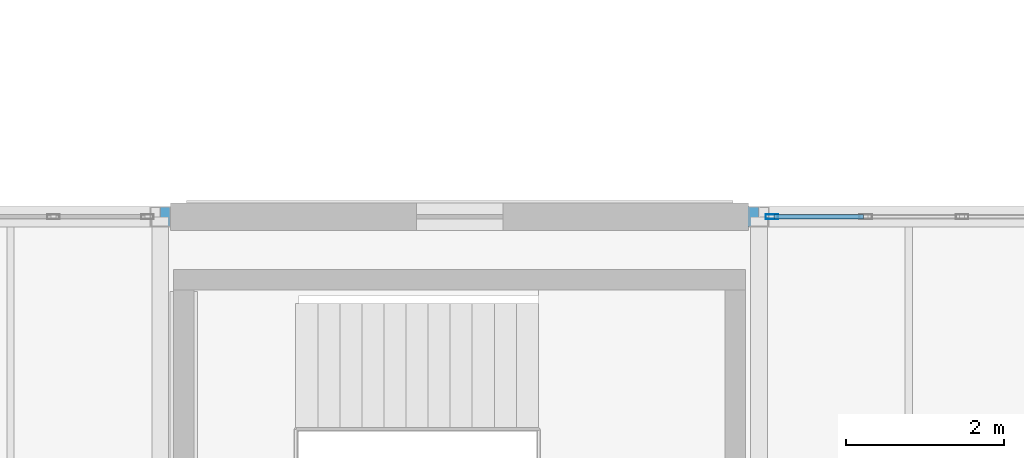
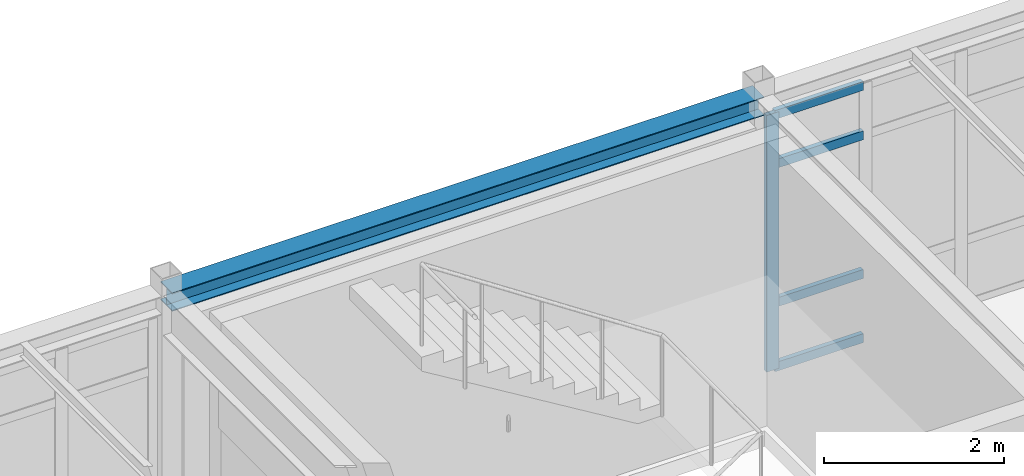
# One storey, part 80 of 189: 5 members, 1 beam, 1 element without a shape of its own.
"""IFC4 building model written with IfcOpenShell, lengths in metres."""

from ifc_helpers import new_model, si_unit, direction, frame, origin, origin_2d, place, context, subcontext, project, spatial, hollow_rectangle, i_section, extrude, material, layer, layer_set, material_profile, profile_set, type_object, element, aggregate, save


model = new_model("IFC4")

# Units and contexts
model_context = context("Model", 3, precision=1e-05, world=origin(), true_north=direction((0.0, 1.0)))
body_context = subcontext(model_context, "Body", "Model", "MODEL_VIEW")
ifc_project = project(units=[si_unit("LENGTHUNIT", "METRE"), si_unit("AREAUNIT", "SQUARE_METRE"), si_unit("VOLUMEUNIT", "CUBIC_METRE"), si_unit("PLANEANGLEUNIT", "RADIAN"), si_unit("MASSUNIT", "GRAM", prefix="KILO")], contexts=[model_context])

# Site, building, storey
site_placement = place(None, origin())
site = spatial("IfcSite", under=ifc_project, at=site_placement, CompositionType="ELEMENT")
building_placement = place(site_placement, origin())
building = spatial("IfcBuilding", under=site, at=building_placement, Name="Montecoro Central Library", CompositionType="ELEMENT")
storey_placement = place(building_placement, frame((0.0, 0.0, 9.179931640625)))
storey = spatial("IfcBuildingStorey", under=building, at=storey_placement, Name="L02", CompositionType="ELEMENT", Elevation=9.179931640625)

# Beam
ifc_material_1 = material(Name="Steel S355", Category="steel")
ifc_material_profile_1 = material_profile(ifc_material_1, i_section(OverallWidth=0.260009765625, OverallDepth=0.25, WebThickness=0.007568359375, FlangeThickness=0.012451171875, at=origin_2d()), Name="HEA 260")
ifc_profile_set_1 = profile_set([ifc_material_profile_1], Name="Steel S355")
beam_type = type_object("IfcBeamType", Name="BM-SP-HEA260", PredefinedType="SPANDREL", material=ifc_profile_set_1)
beam_placement = place(storey_placement, frame((27.804931640625, 111.39990234375, 3.699951171875), z_axis=(1.0, 0.0, 0.0), x_axis=(0.0, 1.0, 0.0)))
element("IfcBeam", 1, at=beam_placement, inside=storey, type_object=beam_type, Name="V4-L02-BX-45-Q", PredefinedType="SPANDREL", context=body_context, shape_type="SweptSolid", body=[
    extrude(i_section(OverallWidth=0.260009765625, OverallDepth=0.25, WebThickness=0.007568359375, FlangeThickness=0.012451171875, at=origin_2d()), origin(), (0.0, 0.0, 1.0), 7.590087890625),
])

# Curtain wall, members
ifc_material_2 = material(Name="Bronze-anodised aluminium and low-E glazing", Category="aluminium")
ifc_layer = layer(ifc_material_2, 0.159912109375)
ifc_layer_set = layer_set([ifc_layer], Name="Bronze-anodised aluminium and low-E glazing")
curtain_wall_type = type_object("IfcCurtainWallType", Name="CWT-048", PredefinedType="NOTDEFINED", material=ifc_layer_set)
curtain_wall_placement = place(storey_placement, origin())
curtain_wall = element("IfcCurtainWall", 2, at=curtain_wall_placement, inside=storey, type_object=curtain_wall_type, Name="V4-L02-CW-N4", PredefinedType="NOTDEFINED")
ifc_material_3 = material(Name="Bronze-anodised aluminium", Category="aluminium")
ifc_material_profile_2 = material_profile(ifc_material_3, hollow_rectangle(XDim=0.06005859375, YDim=0.159912109375, WallThickness=0.00390625, at=origin_2d()), Name="CWM 160x60x4.0")
ifc_profile_set_2 = profile_set([ifc_material_profile_2], Name="Bronze-anodised aluminium")
member_type_1 = type_object("IfcMemberType", Name="CWM-BRZ-60", PredefinedType="MULLION", material=ifc_profile_set_2)
member_1_placement = place(storey_placement, frame((35.56298828125, 111.39990234375, 0.0), z_axis=(0.0, 0.0, 1.0), x_axis=(0.0, -1.0, 0.0)))
member_1 = element("IfcMember", 3, at=member_1_placement, type_object=member_type_1, Name="CW-048 mullion 7", PredefinedType="MULLION", context=body_context, shape_type="SweptSolid", body=[
    extrude(hollow_rectangle(XDim=0.06005859375, YDim=0.159912109375, WallThickness=0.00390625, at=origin_2d()), origin(), (0.0, 0.0, 1.0), 3.47998046875),
])
ifc_material_profile_3 = material_profile(ifc_material_3, hollow_rectangle(XDim=0.06005859375, YDim=0.1201171875, WallThickness=0.00390625, at=origin_2d()), Name="CWT 120x60x4.0")
ifc_profile_set_3 = profile_set([ifc_material_profile_3], Name="Bronze-anodised aluminium")
member_type_2 = type_object("IfcMemberType", Name="CWT-BRZ-60", PredefinedType="USERDEFINED", material=ifc_profile_set_3)
member_2_placement = place(storey_placement, frame((36.725341796875, 111.39990234375, 0.030029296875), z_axis=(-1.0, 0.0, 0.0), x_axis=(0.0, -1.0, 0.0)))
member_2 = element("IfcMember", 4, at=member_2_placement, type_object=member_type_2, Name="CW-048 transom 6.1", ObjectType="TRANSOM", PredefinedType="USERDEFINED", context=body_context, shape_type="SweptSolid", body=[
    extrude(hollow_rectangle(XDim=0.06005859375, YDim=0.1201171875, WallThickness=0.00390625, at=origin_2d()), origin(), (0.0, 0.0, 1.0), 1.13232421875),
])
member_3_placement = place(storey_placement, frame((36.725341796875, 111.39990234375, 0.900146484375), z_axis=(-1.0, 0.0, 0.0), x_axis=(0.0, -1.0, 0.0)))
member_3 = element("IfcMember", 5, at=member_3_placement, type_object=member_type_2, Name="CW-048 transom 6.2", ObjectType="TRANSOM", PredefinedType="USERDEFINED", context=body_context, shape_type="SweptSolid", body=[
    extrude(hollow_rectangle(XDim=0.06005859375, YDim=0.1201171875, WallThickness=0.00390625, at=origin_2d()), origin(), (0.0, 0.0, 1.0), 1.13232421875),
])
member_4_placement = place(storey_placement, frame((36.725341796875, 111.39990234375, 2.780029296875), z_axis=(-1.0, 0.0, 0.0), x_axis=(0.0, -1.0, 0.0)))
member_4 = element("IfcMember", 6, at=member_4_placement, type_object=member_type_2, Name="CW-048 transom 6.3", ObjectType="TRANSOM", PredefinedType="USERDEFINED", context=body_context, shape_type="SweptSolid", body=[
    extrude(hollow_rectangle(XDim=0.06005859375, YDim=0.1201171875, WallThickness=0.00390625, at=origin_2d()), origin(), (0.0, 0.0, 1.0), 1.13232421875),
])
member_5_placement = place(storey_placement, frame((36.725341796875, 111.39990234375, 3.449951171875), z_axis=(-1.0, 0.0, 0.0), x_axis=(0.0, -1.0, 0.0)))
member_5 = element("IfcMember", 7, at=member_5_placement, type_object=member_type_2, Name="CW-048 transom 6.4", ObjectType="TRANSOM", PredefinedType="USERDEFINED", context=body_context, shape_type="SweptSolid", body=[
    extrude(hollow_rectangle(XDim=0.06005859375, YDim=0.1201171875, WallThickness=0.00390625, at=origin_2d()), origin(), (0.0, 0.0, 1.0), 1.13232421875),
])
aggregate(curtain_wall, [member_1, member_2, member_3, member_4, member_5])

save(model, "model.ifc")
